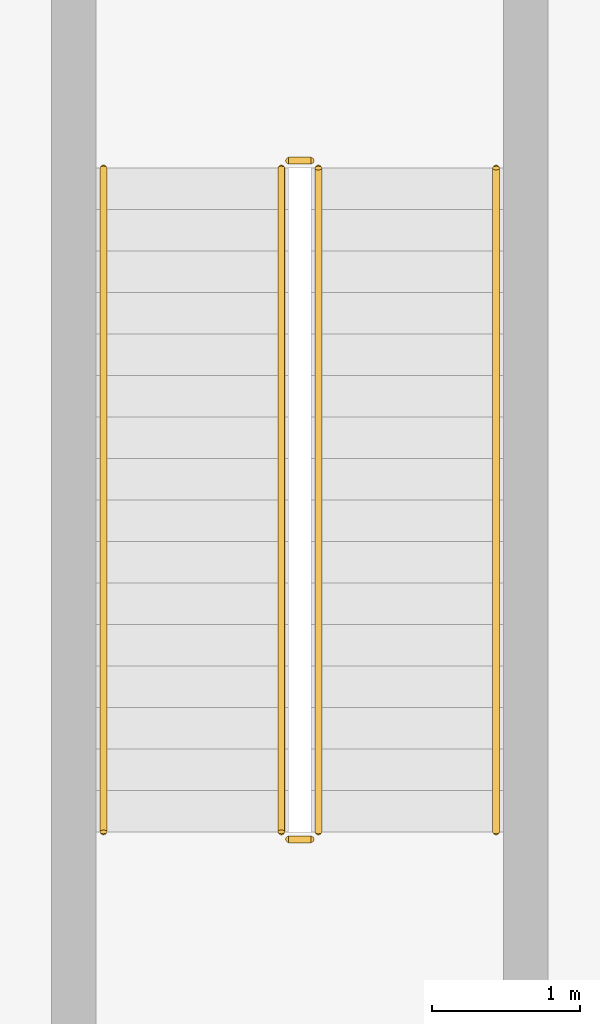
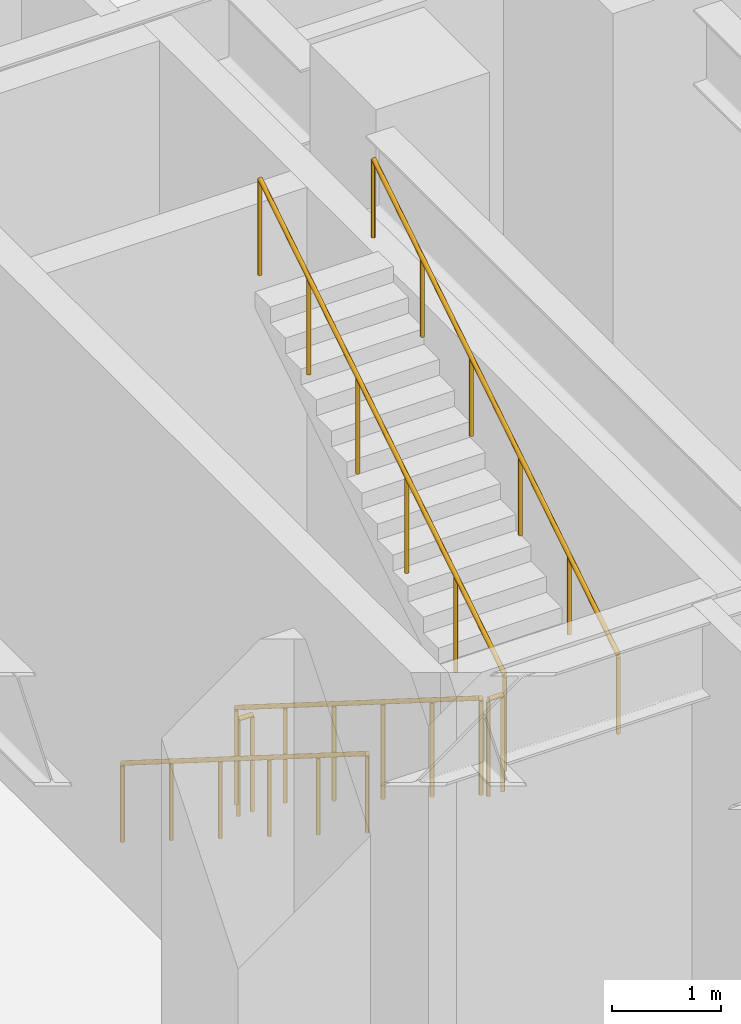
# One storey, part 35 of 40: 6 railings.
"""IFC4 building model written with IfcOpenShell, lengths in metres."""

from ifc_helpers import new_model, si_unit, direction, frame, origin, origin_2d, place, context, subcontext, project, spatial, circle, extrude, material, type_object, element, save


model = new_model("IFC4")

# Units and contexts
model_context = context("Model", 3, precision=1e-05, world=origin(), true_north=direction((0.0, 1.0)))
body_context = subcontext(model_context, "Body", "Model", "MODEL_VIEW")
ifc_project = project(units=[si_unit("LENGTHUNIT", "METRE"), si_unit("AREAUNIT", "SQUARE_METRE"), si_unit("VOLUMEUNIT", "CUBIC_METRE"), si_unit("PLANEANGLEUNIT", "RADIAN"), si_unit("MASSUNIT", "GRAM", prefix="KILO")], contexts=[model_context])

# Site, building, storey
site_placement = place(None, origin())
site = spatial("IfcSite", under=ifc_project, at=site_placement, CompositionType="ELEMENT")
building_placement = place(site_placement, origin())
building = spatial("IfcBuilding", under=site, at=building_placement, Name="Aloe Facet Convention Tower", CompositionType="ELEMENT")
storey_placement = place(building_placement, frame((0.0, 0.0, 13.5)))
storey = spatial("IfcBuildingStorey", under=building, at=storey_placement, Name="L02", CompositionType="ELEMENT", Elevation=13.5)

# Railings
ifc_material_1 = material(Name="Steel S355 balustrade", Category="steel")
railing_type_1 = type_object("IfcRailingType", Name="CR-RL-GUARD", PredefinedType="GUARDRAIL", material=ifc_material_1)
railing_1_placement = place(storey_placement, frame((73.875, 89.10009765625, 0.176513671875)))
element("IfcRailing", 1, at=railing_1_placement, inside=storey, type_object=railing_type_1, Name="L02 ST4 stair guard 1", PredefinedType="GUARDRAIL", context=body_context, shape_type="SweptSolid", body=[
    extrude(circle(Radius=0.02392578125, at=origin_2d()), frame((0.0, 0.0, 1.076171875), z_axis=(0.0, -0.845997938375, 0.533186166611), x_axis=(1.0, 0.0, 0.0)), (0.0, 0.0, 1.0), 5.29541015625),
    extrude(circle(Radius=0.02099609375, at=origin_2d()), origin(), (0.0, 0.0, 1.0), 1.052001953125),
    extrude(circle(Radius=0.02099609375, at=origin_2d()), frame((0.0, -0.89599609375, 0.564697265625)), (0.0, 0.0, 1.0), 1.052001953125),
    extrude(circle(Radius=0.02099609375, at=origin_2d()), frame((0.0, -1.7919921875, 1.12939453125)), (0.0, 0.0, 1.0), 1.052001953125),
    extrude(circle(Radius=0.02099609375, at=origin_2d()), frame((0.0, -2.68798828125, 1.694091796875)), (0.0, 0.0, 1.0), 1.052001953125),
    extrude(circle(Radius=0.02099609375, at=origin_2d()), frame((0.0, -3.583984375, 2.2587890625)), (0.0, 0.0, 1.0), 1.052001953125),
    extrude(circle(Radius=0.02099609375, at=origin_2d()), frame((0.0, -4.47998046875, 2.823486328125)), (0.0, 0.0, 1.0), 1.052001953125),
])
railing_2_placement = place(storey_placement, frame((73.925048828125, 84.570068359375, 3.0)))
element("IfcRailing", 2, at=railing_2_placement, inside=storey, type_object=railing_type_1, Name="L02 ST4 stair guard 2", PredefinedType="GUARDRAIL", context=body_context, shape_type="SweptSolid", body=[
    extrude(circle(Radius=0.02392578125, at=origin_2d()), frame((0.0, 0.0, 1.076171875), z_axis=(1.0, 0.0, 0.0), x_axis=(0.0, 1.0, 0.0)), (0.0, 0.0, 1.0), 0.14990234375),
    extrude(circle(Radius=0.02099609375, at=origin_2d()), origin(), (0.0, 0.0, 1.0), 1.052001953125),
    extrude(circle(Radius=0.02099609375, at=origin_2d()), frame((0.14990234375, 0.0, 0.0)), (0.0, 0.0, 1.0), 1.052001953125),
])
railing_3_placement = place(storey_placement, frame((74.125, 84.6201171875, 3.176513671875)))
element("IfcRailing", 3, at=railing_3_placement, inside=storey, type_object=railing_type_1, Name="L02 ST4 stair guard 3", PredefinedType="GUARDRAIL", context=body_context, shape_type="SweptSolid", body=[
    extrude(circle(Radius=0.02392578125, at=origin_2d()), frame((0.0, 0.0, 1.076171875), z_axis=(0.0, 0.845997938375, 0.533186166611), x_axis=(-1.0, 0.0, 0.0)), (0.0, 0.0, 1.0), 5.29541015625),
    extrude(circle(Radius=0.02099609375, at=origin_2d()), origin(), (0.0, 0.0, 1.0), 1.052001953125),
    extrude(circle(Radius=0.02099609375, at=origin_2d()), frame((0.0, 0.89599609375, 0.564697265625)), (0.0, 0.0, 1.0), 1.052001953125),
    extrude(circle(Radius=0.02099609375, at=origin_2d()), frame((0.0, 1.7919921875, 1.12939453125)), (0.0, 0.0, 1.0), 1.052001953125),
    extrude(circle(Radius=0.02099609375, at=origin_2d()), frame((0.0, 2.68798828125, 1.694091796875)), (0.0, 0.0, 1.0), 1.052001953125),
    extrude(circle(Radius=0.02099609375, at=origin_2d()), frame((0.0, 3.583984375, 2.2587890625)), (0.0, 0.0, 1.0), 1.052001953125),
    extrude(circle(Radius=0.02099609375, at=origin_2d()), frame((0.0, 4.47998046875, 2.823486328125)), (0.0, 0.0, 1.0), 1.052001953125),
])
railing_4_placement = place(storey_placement, frame((73.925048828125, 89.14990234375, 0.0)))
element("IfcRailing", 4, at=railing_4_placement, inside=storey, type_object=railing_type_1, Name="L02 ST4 stair guard 4", PredefinedType="GUARDRAIL", context=body_context, shape_type="SweptSolid", body=[
    extrude(circle(Radius=0.02392578125, at=origin_2d()), frame((0.0, 0.0, 1.076171875), z_axis=(1.0, 0.0, 0.0), x_axis=(0.0, 1.0, 0.0)), (0.0, 0.0, 1.0), 0.14990234375),
    extrude(circle(Radius=0.02099609375, at=origin_2d()), origin(), (0.0, 0.0, 1.0), 1.052001953125),
    extrude(circle(Radius=0.02099609375, at=origin_2d()), frame((0.14990234375, 0.0, 0.0)), (0.0, 0.0, 1.0), 1.052001953125),
])
ifc_material_2 = material(Name="Steel S355 handrail", Category="steel")
railing_type_2 = type_object("IfcRailingType", Name="CR-RL-HAND", PredefinedType="HANDRAIL", material=ifc_material_2)
railing_5_placement = place(storey_placement, frame((72.675048828125, 89.10009765625, 0.176513671875)))
element("IfcRailing", 5, at=railing_5_placement, inside=storey, type_object=railing_type_2, Name="L02 ST4 stair handrail 1", PredefinedType="HANDRAIL", context=body_context, shape_type="SweptSolid", body=[
    extrude(circle(Radius=0.02392578125, at=origin_2d()), frame((0.0, 0.0, 0.8759765625), z_axis=(0.0, -0.845997938375, 0.533186166611), x_axis=(1.0, 0.0, 0.0)), (0.0, 0.0, 1.0), 5.29541015625),
    extrude(circle(Radius=0.02099609375, at=origin_2d()), origin(), (0.0, 0.0, 1.0), 0.851806640625),
    extrude(circle(Radius=0.02099609375, at=origin_2d()), frame((0.0, -0.89599609375, 0.564697265625)), (0.0, 0.0, 1.0), 0.851806640625),
    extrude(circle(Radius=0.02099609375, at=origin_2d()), frame((0.0, -1.7919921875, 1.12939453125)), (0.0, 0.0, 1.0), 0.851806640625),
    extrude(circle(Radius=0.02099609375, at=origin_2d()), frame((0.0, -2.68798828125, 1.694091796875)), (0.0, 0.0, 1.0), 0.851806640625),
    extrude(circle(Radius=0.02099609375, at=origin_2d()), frame((0.0, -3.583984375, 2.2587890625)), (0.0, 0.0, 1.0), 0.851806640625),
    extrude(circle(Radius=0.02099609375, at=origin_2d()), frame((0.0, -4.47998046875, 2.823486328125)), (0.0, 0.0, 1.0), 0.851806640625),
])
railing_6_placement = place(storey_placement, frame((75.324951171875, 84.6201171875, 3.176513671875)))
element("IfcRailing", 6, at=railing_6_placement, inside=storey, type_object=railing_type_2, Name="L02 ST4 stair handrail 2", PredefinedType="HANDRAIL", context=body_context, shape_type="SweptSolid", body=[
    extrude(circle(Radius=0.02392578125, at=origin_2d()), frame((0.0, 0.0, 0.8759765625), z_axis=(0.0, 0.845997938375, 0.533186166611), x_axis=(-1.0, 0.0, 0.0)), (0.0, 0.0, 1.0), 5.29541015625),
    extrude(circle(Radius=0.02099609375, at=origin_2d()), origin(), (0.0, 0.0, 1.0), 0.851806640625),
    extrude(circle(Radius=0.02099609375, at=origin_2d()), frame((0.0, 0.89599609375, 0.564697265625)), (0.0, 0.0, 1.0), 0.851806640625),
    extrude(circle(Radius=0.02099609375, at=origin_2d()), frame((0.0, 1.7919921875, 1.12939453125)), (0.0, 0.0, 1.0), 0.851806640625),
    extrude(circle(Radius=0.02099609375, at=origin_2d()), frame((0.0, 2.68798828125, 1.694091796875)), (0.0, 0.0, 1.0), 0.851806640625),
    extrude(circle(Radius=0.02099609375, at=origin_2d()), frame((0.0, 3.583984375, 2.2587890625)), (0.0, 0.0, 1.0), 0.851806640625),
    extrude(circle(Radius=0.02099609375, at=origin_2d()), frame((0.0, 4.47998046875, 2.823486328125)), (0.0, 0.0, 1.0), 0.851806640625),
])

save(model, "model.ifc")
